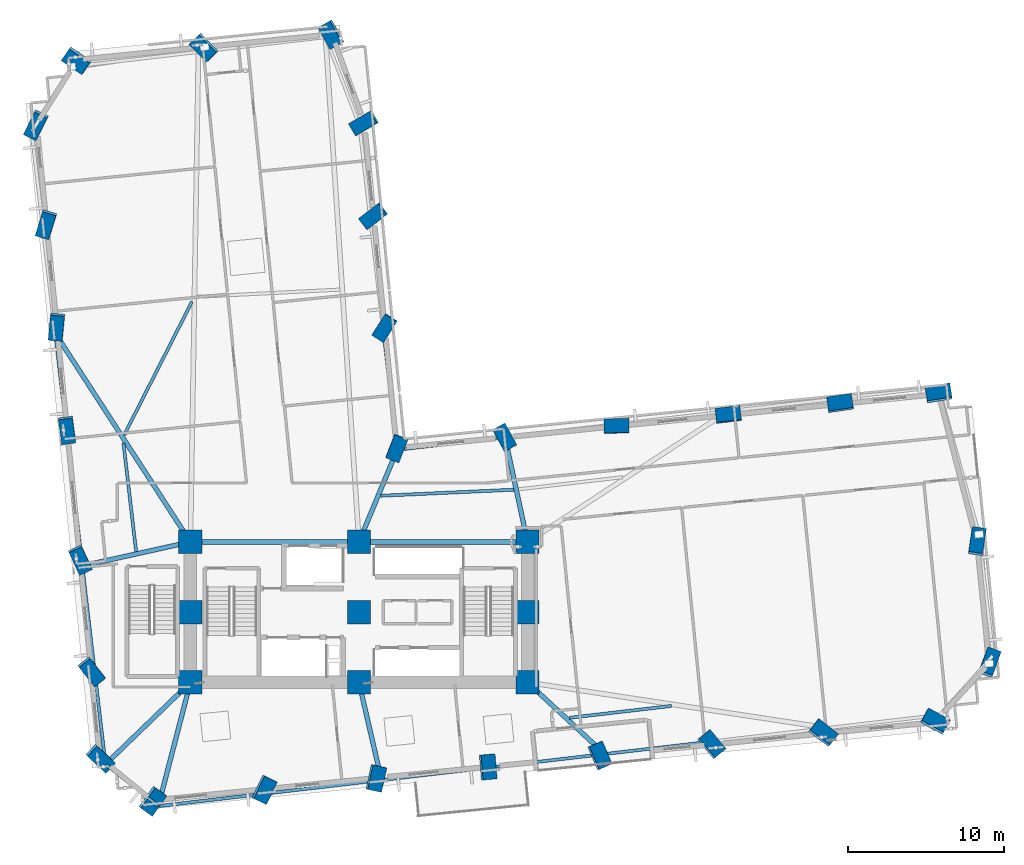
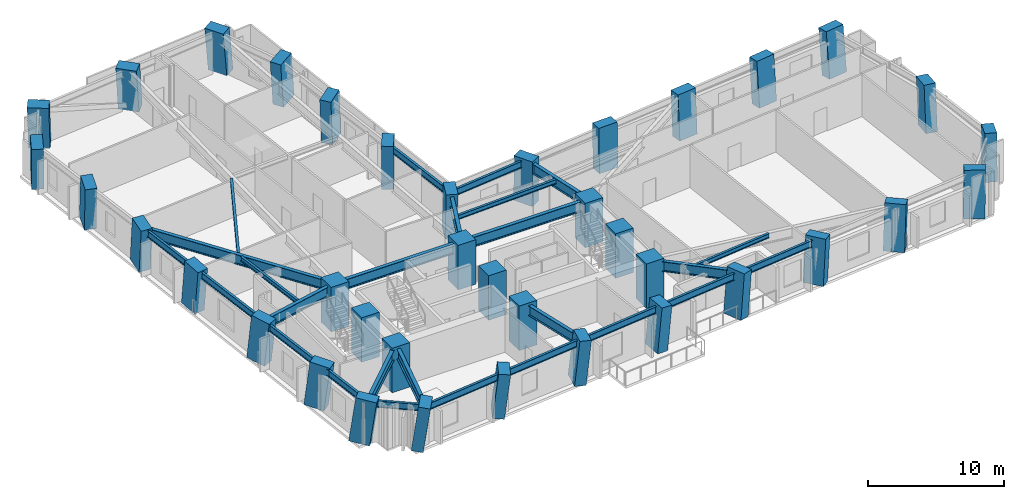
# One storey, part 1 of 16: 38 columns, 26 beams.
"""IFC4 building model written with IfcOpenShell, lengths in metres."""

from ifc_helpers import new_model, si_unit, direction, frame, origin, origin_2d, place, context, subcontext, project, spatial, rectangle, i_section, extrude, material, material_profile, profile_set, type_object, element, save


model = new_model("IFC4")

# Units and contexts
model_context = context("Model", 3, precision=1e-05, world=origin(), true_north=direction((0.0, 1.0)))
body_context = subcontext(model_context, "Body", "Model", "MODEL_VIEW")
ifc_project = project(units=[si_unit("LENGTHUNIT", "METRE"), si_unit("AREAUNIT", "SQUARE_METRE"), si_unit("VOLUMEUNIT", "CUBIC_METRE"), si_unit("PLANEANGLEUNIT", "RADIAN"), si_unit("MASSUNIT", "GRAM", prefix="KILO")], contexts=[model_context])

# Site, building, storey
site_placement = place(None, origin())
site = spatial("IfcSite", under=ifc_project, at=site_placement, CompositionType="ELEMENT")
building_placement = place(site_placement, origin())
building = spatial("IfcBuilding", under=site, at=building_placement, Name="Gaonmaruhae Medical Tower", CompositionType="ELEMENT")
storey_placement = place(building_placement, frame((0.0, 0.0, 47.0)))
storey = spatial("IfcBuildingStorey", under=building, at=storey_placement, Name="L10", CompositionType="ELEMENT", Elevation=47.0)

# Columns
ifc_material_1 = material(Name="Concrete C60/75", Category="concrete")
ifc_material_profile_1 = material_profile(ifc_material_1, rectangle(XDim=1.5, YDim=1.5, at=origin_2d()), Name="RC-1500x1500")
ifc_profile_set_1 = profile_set([ifc_material_profile_1], Name="Concrete C60/75")
column_type_1 = type_object("IfcColumnType", Name="CC-02 Zone 1 Core Column (RC-1500x1500)", PredefinedType="COLUMN", material=ifc_profile_set_1)
for number, where, z_axis, x_axis, name in (
    (1, (14.0, 7.800048828125, 0.0), (0.0, 0.0, 1.0), (1.0, 0.0, 0.0), "L10 Plumb Core Column CC11"),
    (2, (14.0, 12.300048828125, 0.0), (0.0, 0.0, 1.0), (1.0, 0.0, 0.0), "L10 Plumb Core Column CC12"),
    (3, (14.0, 16.800048828125, 0.0), (0.0, 0.0, 1.0), (1.0, 0.0, 0.0), "L10 Plumb Core Column CC13"),
    (4, (24.800048828125, 7.800048828125, 0.0), (0.0, 0.0, 1.0), (1.0, 0.0, 0.0), "L10 Plumb Core Column CC21"),
    (5, (24.800048828125, 12.300048828125, 0.0), (0.0, 0.0, 1.0), (1.0, 0.0, 0.0), "L10 Plumb Core Column CC22"),
    (6, (24.800048828125, 16.800048828125, 0.0), (0.0, 0.0, 1.0), (1.0, 0.0, 0.0), "L10 Plumb Core Column CC23"),
    (7, (35.60009765625, 7.800048828125, 0.0), (0.0, 0.0, 1.0), (1.0, 0.0, 0.0), "L10 Plumb Core Column CC31"),
    (8, (35.60009765625, 12.300048828125, 0.0), (0.0, 0.0, 1.0), (1.0, 0.0, 0.0), "L10 Plumb Core Column CC32"),
    (9, (35.60009765625, 16.800048828125, 0.0), (0.0, 0.0, 1.0), (1.0, 0.0, 0.0), "L10 Plumb Core Column CC33"),
):
    element("IfcColumn", number, at=place(storey_placement, frame(where, z_axis=z_axis, x_axis=x_axis)), inside=storey, type_object=column_type_1, Name=name, PredefinedType="COLUMN", context=body_context, shape_type="SweptSolid", body=[
        extrude(rectangle(XDim=1.5, YDim=1.5, at=origin_2d()), origin(), (0.0, 0.0, 1.0), 4.0),
    ])
ifc_material_profile_2 = material_profile(ifc_material_1, rectangle(XDim=1.60009765625, YDim=0.89990234375, at=origin_2d()), Name="RC-1600x900")
ifc_profile_set_2 = profile_set([ifc_material_profile_2], Name="Concrete C60/75")
column_type_2 = type_object("IfcColumnType", Name="TC-01 Lower Raking Tube Pier Column (RC-1600x900)", PredefinedType="COLUMN", material=ifc_profile_set_2)
column_1_placement = place(storey_placement, frame((11.53076171875, 0.236328125, 0.001708984375), z_axis=(0.101618590506, -0.089756027231, 0.990766126611), x_axis=(0.584979488636, 0.81093628941, 0.013465971642)))
element("IfcColumn", 10, at=column_1_placement, inside=storey, type_object=column_type_2, Name="L10 Perimeter Tube Column S01", PredefinedType="COLUMN", context=body_context, shape_type="SweptSolid", body=[
    extrude(rectangle(XDim=1.60009765625, YDim=0.89990234375, at=origin_2d()), origin(), (0.0, 0.0, 1.0), 4.033935546875),
])
column_2_placement = place(storey_placement, frame((18.695068359375, 0.95166015625, 0.001708984375), z_axis=(0.098720342655, -0.060554948968, 0.993271056712), x_axis=(0.436192112463, 0.899780047303, 0.011502499709)))
element("IfcColumn", 11, at=column_2_placement, inside=storey, type_object=column_type_2, Name="L10 Perimeter Tube Column S02", PredefinedType="COLUMN", context=body_context, shape_type="SweptSolid", body=[
    extrude(rectangle(XDim=1.60009765625, YDim=0.89990234375, at=origin_2d()), origin(), (0.0, 0.0, 1.0), 4.023681640625),
])
column_3_placement = place(storey_placement, frame((25.859375, 1.666748046875, 0.001708984375), z_axis=(0.095663738453, -0.031118064859, 0.994927190896), x_axis=(0.213833086503, 0.976819115495, 0.009991332253)))
element("IfcColumn", 12, at=column_3_placement, inside=storey, type_object=column_type_2, Name="L10 Perimeter Tube Column S03", PredefinedType="COLUMN", context=body_context, shape_type="SweptSolid", body=[
    extrude(rectangle(XDim=1.60009765625, YDim=0.89990234375, at=origin_2d()), origin(), (0.0, 0.0, 1.0), 4.016845703125),
])
column_4_placement = place(storey_placement, frame((33.02392578125, 2.3818359375, 0.001708984375), z_axis=(0.092515267284, -0.00158145756, 0.995710010149), x_axis=(-0.081872211225, 0.996600464636, 0.009189935574)))
element("IfcColumn", 13, at=column_4_placement, inside=storey, type_object=column_type_2, Name="L10 Perimeter Tube Column S04", PredefinedType="COLUMN", context=body_context, shape_type="SweptSolid", body=[
    extrude(rectangle(XDim=1.60009765625, YDim=0.89990234375, at=origin_2d()), origin(), (0.0, 0.0, 1.0), 4.013916015625),
])
column_5_placement = place(storey_placement, frame((40.188232421875, 3.09716796875, 0.001708984375), z_axis=(0.089343341135, 0.027915992907, 0.995609594537), x_axis=(-0.391147030164, 0.920281246899, 0.00929663378)))
element("IfcColumn", 14, at=column_5_placement, inside=storey, type_object=column_type_2, Name="L10 Perimeter Tube Column S05", PredefinedType="COLUMN", context=body_context, shape_type="SweptSolid", body=[
    extrude(rectangle(XDim=1.60009765625, YDim=0.89990234375, at=origin_2d()), origin(), (0.0, 0.0, 1.0), 4.01416015625),
])
column_6_placement = place(storey_placement, frame((47.352783203125, 3.812255859375, 0.001708984375), z_axis=(0.086035721767, 0.057417907535, 0.994636133706), x_axis=(-0.634531084789, 0.772829064842, 0.010273216236)))
element("IfcColumn", 15, at=column_6_placement, inside=storey, type_object=column_type_2, Name="L10 Perimeter Tube Column S06", PredefinedType="COLUMN", context=body_context, shape_type="SweptSolid", body=[
    extrude(rectangle(XDim=1.60009765625, YDim=0.89990234375, at=origin_2d()), origin(), (0.0, 0.0, 1.0), 4.01806640625),
])
column_7_placement = place(storey_placement, frame((54.51708984375, 4.52734375, 0.001708984375), z_axis=(0.082722113319, 0.086785442932, 0.992786653246), x_axis=(-0.788302317086, 0.615172869434, 0.011907879312)))
element("IfcColumn", 16, at=column_7_placement, inside=storey, type_object=column_type_2, Name="L10 Perimeter Tube Column S07", PredefinedType="COLUMN", context=body_context, shape_type="SweptSolid", body=[
    extrude(rectangle(XDim=1.60009765625, YDim=0.89990234375, at=origin_2d()), origin(), (0.0, 0.0, 1.0), 4.025634765625),
])
column_8_placement = place(storey_placement, frame((61.681396484375, 5.242431640625, 0.001708984375), z_axis=(0.07929154135, 0.115943466642, 0.99008583669), x_axis=(-0.876862698798, 0.480538429513, 0.013950814218)))
element("IfcColumn", 17, at=column_8_placement, inside=storey, type_object=column_type_2, Name="L10 Perimeter Tube Column S08", PredefinedType="COLUMN", context=body_context, shape_type="SweptSolid", body=[
    extrude(rectangle(XDim=1.60009765625, YDim=0.89990234375, at=origin_2d()), origin(), (0.0, 0.0, 1.0), 4.03662109375),
])
column_9_placement = place(storey_placement, frame((65.1748046875, 9.008056640625, 0.001708984375), z_axis=(0.063646955424, 0.13007430966, 0.989459316512), x_axis=(-0.343521573183, -0.928024529362, 0.144095113241)))
element("IfcColumn", 18, at=column_9_placement, inside=storey, type_object=column_type_2, Name="L10 Perimeter Tube Column E01", PredefinedType="COLUMN", context=body_context, shape_type="SweptSolid", body=[
    extrude(rectangle(XDim=1.60009765625, YDim=0.89990234375, at=origin_2d()), origin(), (0.0, 0.0, 1.0), 4.0390625),
])
column_10_placement = place(storey_placement, frame((64.39990234375, 16.76953125, 0.001708984375), z_axis=(0.031977073991, 0.126818168441, 0.991410418995), x_axis=(-0.144892280872, -0.980851456835, 0.130140872017)))
element("IfcColumn", 19, at=column_10_placement, inside=storey, type_object=column_type_2, Name="L10 Perimeter Tube Column E02", PredefinedType="COLUMN", context=body_context, shape_type="SweptSolid", body=[
    extrude(rectangle(XDim=1.60009765625, YDim=0.89990234375, at=origin_2d()), origin(), (0.0, 0.0, 1.0), 4.03125),
])
column_11_placement = place(storey_placement, frame((61.94384765625, 26.272705078125, 0.001708984375), z_axis=(-0.007037616646, 0.116606027529, 0.993153314597), x_axis=(-0.987305751047, -0.158406878966, 0.011602355177)))
element("IfcColumn", 20, at=column_11_placement, inside=storey, type_object=column_type_2, Name="L10 Perimeter Tube Column E03", PredefinedType="COLUMN", context=body_context, shape_type="SweptSolid", body=[
    extrude(rectangle(XDim=1.60009765625, YDim=0.89990234375, at=origin_2d()), origin(), (0.0, 0.0, 1.0), 4.024169921875),
])
column_12_placement = place(storey_placement, frame((55.625244140625, 25.641845703125, 0.001708984375), z_axis=(-0.004197545486, 0.090885984878, 0.995852458131), x_axis=(-0.989432855337, -0.144709945545, 0.009036395335)))
element("IfcColumn", 21, at=column_12_placement, inside=storey, type_object=column_type_2, Name="L10 Perimeter Tube Column EN01", PredefinedType="COLUMN", context=body_context, shape_type="SweptSolid", body=[
    extrude(rectangle(XDim=1.60009765625, YDim=0.89990234375, at=origin_2d()), origin(), (0.0, 0.0, 1.0), 4.01318359375),
])
column_13_placement = place(storey_placement, frame((48.4609375, 24.9267578125, 0.001708984375), z_axis=(-0.001036521292, 0.061459615457, 0.998109032767), x_axis=(-0.993242457555, -0.115897149318, 0.00610502167)))
element("IfcColumn", 22, at=column_13_placement, inside=storey, type_object=column_type_2, Name="L10 Perimeter Tube Column EN02", PredefinedType="COLUMN", context=body_context, shape_type="SweptSolid", body=[
    extrude(rectangle(XDim=1.60009765625, YDim=0.89990234375, at=origin_2d()), origin(), (0.0, 0.0, 1.0), 4.004150390625),
])
column_14_placement = place(storey_placement, frame((41.29638671875, 24.211669921875, 0.001708984375), z_axis=(0.002198022253, 0.031871322671, 0.999489563472), x_axis=(-0.99952753356, -0.030571913774, 0.00317297069)))
element("IfcColumn", 23, at=column_14_placement, inside=storey, type_object=column_type_2, Name="L10 Perimeter Tube Column EN03", PredefinedType="COLUMN", context=body_context, shape_type="SweptSolid", body=[
    extrude(rectangle(XDim=1.60009765625, YDim=0.89990234375, at=origin_2d()), origin(), (0.0, 0.0, 1.0), 3.99853515625),
])
column_15_placement = place(storey_placement, frame((34.132080078125, 23.496337890625, 0.001708984375), z_axis=(0.00537559583, 0.002260193701, 0.999982997102), x_axis=(-0.477226844935, 0.878779951426, 0.000579175574)))
element("IfcColumn", 24, at=column_15_placement, inside=storey, type_object=column_type_2, Name="L10 Perimeter Tube Column EN04", PredefinedType="COLUMN", context=body_context, shape_type="SweptSolid", body=[
    extrude(rectangle(XDim=1.60009765625, YDim=0.89990234375, at=origin_2d()), origin(), (0.0, 0.0, 1.0), 3.99658203125),
])
column_16_placement = place(storey_placement, frame((27.216552734375, 22.80615234375, 0.001708984375), z_axis=(0.008487881416, -0.026379602675, 0.999615962473), x_axis=(0.366006606198, 0.930365147227, 0.021444277663)))
element("IfcColumn", 25, at=column_16_placement, inside=storey, type_object=column_type_2, Name="L10 Perimeter Tube Column KN01", PredefinedType="COLUMN", context=body_context, shape_type="SweptSolid", body=[
    extrude(rectangle(XDim=1.60009765625, YDim=0.89990234375, at=origin_2d()), origin(), (0.0, 0.0, 1.0), 3.998046875),
])
column_17_placement = place(storey_placement, frame((26.44677734375, 30.517822265625, 0.001708984375), z_axis=(-0.023440642929, -0.02985019373, 0.99927949153), x_axis=(0.53599835428, 0.843373864942, 0.037766230177)))
element("IfcColumn", 26, at=column_17_placement, inside=storey, type_object=column_type_2, Name="L10 Perimeter Tube Column NE01", PredefinedType="COLUMN", context=body_context, shape_type="SweptSolid", body=[
    extrude(rectangle(XDim=1.60009765625, YDim=0.89990234375, at=origin_2d()), origin(), (0.0, 0.0, 1.0), 3.99951171875),
])
column_18_placement = place(storey_placement, frame((25.7314453125, 37.68212890625, 0.001708984375), z_axis=(-0.052981428619, -0.032983835308, 0.998050617369), x_axis=(0.790594790674, 0.609182512333, 0.062101075887)))
element("IfcColumn", 27, at=column_18_placement, inside=storey, type_object=column_type_2, Name="L10 Perimeter Tube Column NE02", PredefinedType="COLUMN", context=body_context, shape_type="SweptSolid", body=[
    extrude(rectangle(XDim=1.60009765625, YDim=0.89990234375, at=origin_2d()), origin(), (0.0, 0.0, 1.0), 4.00439453125),
])
column_19_placement = place(storey_placement, frame((25.135498046875, 43.652587890625, 0.001708984375), z_axis=(-0.077541471028, -0.035605777513, 0.996353124589), x_axis=(0.859535292838, 0.503974648786, 0.084903673342)))
element("IfcColumn", 28, at=column_19_placement, inside=storey, type_object=column_type_2, Name="L10 Perimeter Tube Column NE03", PredefinedType="COLUMN", context=body_context, shape_type="SweptSolid", body=[
    extrude(rectangle(XDim=1.60009765625, YDim=0.89990234375, at=origin_2d()), origin(), (0.0, 0.0, 1.0), 4.01123046875),
])
column_20_placement = place(storey_placement, frame((23.06201171875, 49.324462890625, 0.001708984375), z_axis=(-0.100668818435, -0.044201990242, 0.993937610242), x_axis=(0.490435652814, -0.871408990752, 0.010919765858)))
element("IfcColumn", 29, at=column_20_placement, inside=storey, type_object=column_type_2, Name="L10 Perimeter Tube Column N01", PredefinedType="COLUMN", context=body_context, shape_type="SweptSolid", body=[
    extrude(rectangle(XDim=1.60009765625, YDim=0.89990234375, at=origin_2d()), origin(), (0.0, 0.0, 1.0), 4.02099609375),
])
column_21_placement = place(storey_placement, frame((14.902587890625, 48.510009765625, 0.001708984375), z_axis=(-0.096922045865, -0.077707356347, 0.992253840403), x_axis=(0.699324081061, -0.714698257248, 0.01233818203)))
element("IfcColumn", 30, at=column_21_placement, inside=storey, type_object=column_type_2, Name="L10 Perimeter Tube Column N02", PredefinedType="COLUMN", context=body_context, shape_type="SweptSolid", body=[
    extrude(rectangle(XDim=1.60009765625, YDim=0.89990234375, at=origin_2d()), origin(), (0.0, 0.0, 1.0), 4.02783203125),
])
column_22_placement = place(storey_placement, frame((6.742919921875, 47.695556640625, 0.001708984375), z_axis=(-0.092963260018, -0.110915202947, 0.989472409945), x_axis=(0.825741644185, -0.563865350369, 0.014373715995)))
element("IfcColumn", 31, at=column_22_placement, inside=storey, type_object=column_type_2, Name="L10 Perimeter Tube Column N03", PredefinedType="COLUMN", context=body_context, shape_type="SweptSolid", body=[
    extrude(rectangle(XDim=1.60009765625, YDim=0.89990234375, at=origin_2d()), origin(), (0.0, 0.0, 1.0), 4.0390625),
])
column_23_placement = place(storey_placement, frame((4.140380859375, 43.566650390625, 0.001708984375), z_axis=(-0.075994605192, -0.121458362634, 0.9896831241), x_axis=(0.438151249377, 0.8875238919, 0.142565156951)))
element("IfcColumn", 32, at=column_23_placement, inside=storey, type_object=column_type_2, Name="L10 Perimeter Tube Column W01", PredefinedType="COLUMN", context=body_context, shape_type="SweptSolid", body=[
    extrude(rectangle(XDim=1.60009765625, YDim=0.89990234375, at=origin_2d()), origin(), (0.0, 0.0, 1.0), 4.038330078125),
])
column_24_placement = place(storey_placement, frame((4.77587890625, 37.1982421875, 0.001708984375), z_axis=(-0.049976419905, -0.118853013156, 0.991653325874), x_axis=(0.290924984757, 0.948104928167, 0.12829535623)))
element("IfcColumn", 33, at=column_24_placement, inside=storey, type_object=column_type_2, Name="L10 Perimeter Tube Column W02", PredefinedType="COLUMN", context=body_context, shape_type="SweptSolid", body=[
    extrude(rectangle(XDim=1.60009765625, YDim=0.89990234375, at=origin_2d()), origin(), (0.0, 0.0, 1.0), 4.0302734375),
])
column_25_placement = place(storey_placement, frame((5.431640625, 30.630859375, 0.001708984375), z_axis=(-0.023050008903, -0.116099255371, 0.992970120392), x_axis=(0.094992830329, 0.988485824862, 0.117780033251)))
element("IfcColumn", 34, at=column_25_placement, inside=storey, type_object=column_type_2, Name="L10 Perimeter Tube Column W03", PredefinedType="COLUMN", context=body_context, shape_type="SweptSolid", body=[
    extrude(rectangle(XDim=1.60009765625, YDim=0.89990234375, at=origin_2d()), origin(), (0.0, 0.0, 1.0), 4.02490234375),
])
column_26_placement = place(storey_placement, frame((6.092041015625, 24.013916015625, 0.001708984375), z_axis=(0.004187870803, -0.113254593007, 0.99355717445), x_axis=(-0.135784547747, 0.984299301738, 0.112771632916)))
element("IfcColumn", 35, at=column_26_placement, inside=storey, type_object=column_type_2, Name="L10 Perimeter Tube Column W04", PredefinedType="COLUMN", context=body_context, shape_type="SweptSolid", body=[
    extrude(rectangle(XDim=1.60009765625, YDim=0.89990234375, at=origin_2d()), origin(), (0.0, 0.0, 1.0), 4.0224609375),
])
column_27_placement = place(storey_placement, frame((6.92138671875, 15.705078125, 0.001708984375), z_axis=(0.038346412063, -0.109517838251, 0.993244882084), x_axis=(-0.420351330266, 0.899984986177, 0.115463343969)))
element("IfcColumn", 36, at=column_27_placement, inside=storey, type_object=column_type_2, Name="L10 Perimeter Tube Column W05", PredefinedType="COLUMN", context=body_context, shape_type="SweptSolid", body=[
    extrude(rectangle(XDim=1.60009765625, YDim=0.89990234375, at=origin_2d()), origin(), (0.0, 0.0, 1.0), 4.023681640625),
])
column_28_placement = place(storey_placement, frame((7.636474609375, 8.540771484375, 0.001708984375), z_axis=(0.067751375391, -0.1062327022, 0.992030424995), x_axis=(-0.614531721209, 0.778865669784, 0.125375564047)))
element("IfcColumn", 37, at=column_28_placement, inside=storey, type_object=column_type_2, Name="L10 Perimeter Tube Column W06", PredefinedType="COLUMN", context=body_context, shape_type="SweptSolid", body=[
    extrude(rectangle(XDim=1.60009765625, YDim=0.89990234375, at=origin_2d()), origin(), (0.0, 0.0, 1.0), 4.02880859375),
])
column_29_placement = place(storey_placement, frame((8.19287109375, 2.968505859375, 0.001708984375), z_axis=(0.090457849592, -0.10358785184, 0.990498326298), x_axis=(-0.723096260137, 0.677056348658, 0.13684480011)))
element("IfcColumn", 38, at=column_29_placement, inside=storey, type_object=column_type_2, Name="L10 Perimeter Tube Column W07", PredefinedType="COLUMN", context=body_context, shape_type="SweptSolid", body=[
    extrude(rectangle(XDim=1.60009765625, YDim=0.89990234375, at=origin_2d()), origin(), (0.0, 0.0, 1.0), 4.034912109375),
])

# Beams
ifc_material_2 = material(Name="Steel SM355", Category="steel")
ifc_material_profile_3 = material_profile(ifc_material_2, i_section(OverallWidth=0.199951171875, OverallDepth=0.39990234375, WebThickness=0.008056640625, FlangeThickness=0.012939453125, FilletRadius=0.012939453125, at=origin_2d()), Name="H-400x200x8x13")
ifc_profile_set_3 = profile_set([ifc_material_profile_3], Name="Steel SM355")
beam_type_1 = type_object("IfcBeamType", Name="FJ-01 Lower Zone Ward Floor Joist (H-400x200x8x13)", PredefinedType="JOIST", material=ifc_profile_set_3)
beam_1_placement = place(storey_placement, frame((38.275390625, 5.528076171875, 3.580078125), z_axis=(0.993271089038, 0.115812536801, 0.0), x_axis=(-0.115812536801, 0.993271089038, 0.0)))
element("IfcBeam", 39, at=beam_1_placement, inside=storey, type_object=beam_type_1, Name="L10 Secondary Floor Joist FJ03", PredefinedType="JOIST", context=body_context, shape_type="SweptSolid", body=[
    extrude(i_section(OverallWidth=0.199951171875, OverallDepth=0.39990234375, WebThickness=0.008056640625, FlangeThickness=0.012939453125, FilletRadius=0.012939453125, at=origin_2d()), origin(), (0.0, 0.0, 1.0), 6.59619140625),
])
beam_2_placement = place(storey_placement, frame((34.718994140625, 20.1455078125, 3.580078125), z_axis=(-0.998968127126, -0.045416747866, 0.0), x_axis=(0.045416747866, -0.998968127126, 0.0)))
element("IfcBeam", 40, at=beam_2_placement, inside=storey, type_object=beam_type_1, Name="L10 Secondary Floor Joist FJ06", PredefinedType="JOIST", context=body_context, shape_type="SweptSolid", body=[
    extrude(i_section(OverallWidth=0.199951171875, OverallDepth=0.39990234375, WebThickness=0.008056640625, FlangeThickness=0.012939453125, FilletRadius=0.012939453125, at=origin_2d()), origin(), (0.0, 0.0, 1.0), 8.531005859375),
])
beam_3_placement = place(storey_placement, frame((14.098388671875, 32.1884765625, 3.580078125), z_axis=(-0.453394793592, -0.891309800879, 0.0), x_axis=(0.891309800879, -0.453394793592, 0.0)))
element("IfcBeam", 41, at=beam_3_placement, inside=storey, type_object=beam_type_1, Name="L10 Secondary Floor Joist FJ09", PredefinedType="JOIST", context=body_context, shape_type="SweptSolid", body=[
    extrude(i_section(OverallWidth=0.199951171875, OverallDepth=0.39990234375, WebThickness=0.008056640625, FlangeThickness=0.012939453125, FilletRadius=0.012939453125, at=origin_2d()), origin(), (0.0, 0.0, 1.0), 9.589111328125),
])
beam_4_placement = place(storey_placement, frame((9.709228515625, 23.139404296875, 3.580078125), z_axis=(0.115813016434, -0.993271033115, 0.0), x_axis=(0.993271033115, 0.115813016434, 0.0)))
element("IfcBeam", 42, at=beam_4_placement, inside=storey, type_object=beam_type_1, Name="L10 Secondary Floor Joist FJ10", PredefinedType="JOIST", context=body_context, shape_type="SweptSolid", body=[
    extrude(i_section(OverallWidth=0.199951171875, OverallDepth=0.39990234375, WebThickness=0.008056640625, FlangeThickness=0.012939453125, FilletRadius=0.012939453125, at=origin_2d()), origin(), (0.0, 0.0, 1.0), 6.998779296875),
])
ifc_material_3 = material(Name="Steel SM420", Category="steel")
ifc_material_profile_4 = material_profile(ifc_material_3, i_section(OverallWidth=0.300048828125, OverallDepth=0.89990234375, WebThickness=0.01611328125, FlangeThickness=0.028076171875, FilletRadius=0.01806640625, at=origin_2d()), Name="H-900x300x16x28")
ifc_profile_set_4 = profile_set([ifc_material_profile_4], Name="Steel SM420")
beam_type_2 = type_object("IfcBeamType", Name="PG-01 Zone 1 Radial Floor Girder (H-900x300x16x28)", PredefinedType="BEAM", material=ifc_profile_set_4)
for number, where, z_axis, x_axis, name in (
    (43, (14.050048828125, 16.800048828125, 3.330078125), (1.0, 0.0, 0.0), (0.0, 1.0, 0.0), "L10 Beam BM-L10-CG-N1"),
    (44, (24.85009765625, 16.800048828125, 3.330078125), (1.0, 0.0, 0.0), (0.0, 1.0, 0.0), "L10 Beam BM-L10-CG-N2"),
):
    element("IfcBeam", number, at=place(storey_placement, frame(where, z_axis=z_axis, x_axis=x_axis)), inside=storey, type_object=beam_type_2, Name=name, PredefinedType="BEAM", context=body_context, shape_type="SweptSolid", body=[
        extrude(i_section(OverallWidth=0.300048828125, OverallDepth=0.89990234375, WebThickness=0.01611328125, FlangeThickness=0.028076171875, FilletRadius=0.01806640625, at=origin_2d()), origin(), (0.0, 0.0, 1.0), 10.699951171875),
    ])
beam_5_placement = place(storey_placement, frame((13.987548828125, 7.751708984375, 3.330078125), z_axis=(-0.251465925913, -0.967866151957, 0.0), x_axis=(0.967866151957, -0.251465925913, 0.0)))
element("IfcBeam", 45, at=beam_5_placement, inside=storey, type_object=beam_type_2, Name="L10 Radial Primary Girder S01", PredefinedType="BEAM", context=body_context, shape_type="SweptSolid", body=[
    extrude(i_section(OverallWidth=0.300048828125, OverallDepth=0.89990234375, WebThickness=0.01611328125, FlangeThickness=0.028076171875, FilletRadius=0.01806640625, at=origin_2d()), origin(), (0.0, 0.0, 1.0), 8.08935546875),
])
beam_6_placement = place(storey_placement, frame((24.811279296875, 7.751220703125, 3.330078125), z_axis=(0.22480592515, -0.974403559116, 0.0), x_axis=(0.974403559116, 0.22480592515, 0.0)))
element("IfcBeam", 46, at=beam_6_placement, inside=storey, type_object=beam_type_2, Name="L10 Radial Primary Girder S03", PredefinedType="BEAM", context=body_context, shape_type="SweptSolid", body=[
    extrude(i_section(OverallWidth=0.300048828125, OverallDepth=0.89990234375, WebThickness=0.01611328125, FlangeThickness=0.028076171875, FilletRadius=0.01806640625, at=origin_2d()), origin(), (0.0, 0.0, 1.0), 6.32275390625),
])
beam_7_placement = place(storey_placement, frame((35.63671875, 7.765869140625, 3.31005859375), z_axis=(0.733014469082, -0.680213046123, 0.0), x_axis=(0.680213046123, 0.733014469082, 0.0)))
element("IfcBeam", 47, at=beam_7_placement, inside=storey, type_object=beam_type_2, Name="L10 Radial Primary Girder S05", PredefinedType="BEAM", context=body_context, shape_type="SweptSolid", body=[
    extrude(i_section(OverallWidth=0.300048828125, OverallDepth=0.89990234375, WebThickness=0.01611328125, FlangeThickness=0.028076171875, FilletRadius=0.01806640625, at=origin_2d()), origin(), (0.0, 0.0, 1.0), 6.64892578125),
])
beam_8_placement = place(storey_placement, frame((35.58935546875, 16.848876953125, 3.330078125), z_axis=(-0.210818924361, 0.97752513069, 0.0), x_axis=(-0.97752513069, -0.210818924361, 0.0)))
element("IfcBeam", 48, at=beam_8_placement, inside=storey, type_object=beam_type_2, Name="L10 Radial Primary Girder EN04", PredefinedType="BEAM", context=body_context, shape_type="SweptSolid", body=[
    extrude(i_section(OverallWidth=0.300048828125, OverallDepth=0.89990234375, WebThickness=0.01611328125, FlangeThickness=0.028076171875, FilletRadius=0.01806640625, at=origin_2d()), origin(), (0.0, 0.0, 1.0), 6.759521484375),
])
beam_9_placement = place(storey_placement, frame((24.819091796875, 16.84619140625, 3.330078125), z_axis=(0.383540112576, 0.92352421844, 0.0), x_axis=(-0.92352421844, 0.383540112576, 0.0)))
element("IfcBeam", 49, at=beam_9_placement, inside=storey, type_object=beam_type_2, Name="L10 Radial Primary Girder KN01", PredefinedType="BEAM", context=body_context, shape_type="SweptSolid", body=[
    extrude(i_section(OverallWidth=0.300048828125, OverallDepth=0.89990234375, WebThickness=0.01611328125, FlangeThickness=0.028076171875, FilletRadius=0.01806640625, at=origin_2d()), origin(), (0.0, 0.0, 1.0), 6.2890625),
])
beam_10_placement = place(storey_placement, frame((13.972900390625, 16.842041015625, 3.330078125), z_axis=(-0.543894649511, 0.839153508146, 0.0), x_axis=(-0.839153508146, -0.543894649511, 0.0)))
element("IfcBeam", 50, at=beam_10_placement, inside=storey, type_object=beam_type_2, Name="L10 Radial Primary Girder W03", PredefinedType="BEAM", context=body_context, shape_type="SweptSolid", body=[
    extrude(i_section(OverallWidth=0.300048828125, OverallDepth=0.89990234375, WebThickness=0.01611328125, FlangeThickness=0.028076171875, FilletRadius=0.01806640625, at=origin_2d()), origin(), (0.0, 0.0, 1.0), 15.82470703125),
])
beam_11_placement = place(storey_placement, frame((13.951171875, 16.7890625, 3.330078125), z_axis=(-0.976279805662, -0.216512681053, 0.0), x_axis=(0.216512681053, -0.976279805662, 0.0)))
element("IfcBeam", 51, at=beam_11_placement, inside=storey, type_object=beam_type_2, Name="L10 Radial Primary Girder W05", PredefinedType="BEAM", context=body_context, shape_type="SweptSolid", body=[
    extrude(i_section(OverallWidth=0.300048828125, OverallDepth=0.89990234375, WebThickness=0.01611328125, FlangeThickness=0.028076171875, FilletRadius=0.01806640625, at=origin_2d()), origin(), (0.0, 0.0, 1.0), 6.9921875),
])
beam_12_placement = place(storey_placement, frame((13.964111328125, 7.765380859375, 3.330078125), z_axis=(-0.719704145831, -0.694280881541, 0.0), x_axis=(0.694280881541, -0.719704145831, 0.0)))
element("IfcBeam", 52, at=beam_12_placement, inside=storey, type_object=beam_type_2, Name="L10 Radial Primary Girder W07", PredefinedType="BEAM", context=body_context, shape_type="SweptSolid", body=[
    extrude(i_section(OverallWidth=0.300048828125, OverallDepth=0.89990234375, WebThickness=0.01611328125, FlangeThickness=0.028076171875, FilletRadius=0.01806640625, at=origin_2d()), origin(), (0.0, 0.0, 1.0), 7.461669921875),
])
ifc_material_profile_5 = material_profile(ifc_material_2, i_section(OverallWidth=0.199951171875, OverallDepth=0.60009765625, WebThickness=0.010986328125, FlangeThickness=0.01708984375, FilletRadius=0.012939453125, at=origin_2d()), Name="H-600x200x11x17")
ifc_profile_set_5 = profile_set([ifc_material_profile_5], Name="Steel SM355")
beam_type_3 = type_object("IfcBeamType", Name="SP-01 Lower Perimeter Spandrel Beam (H-600x200x11x17)", PredefinedType="SPANDREL", material=ifc_profile_set_5)
beam_13_placement = place(storey_placement, frame((11.98046875, -0.121337890625, 3.47998046875), z_axis=(0.993273396415, 0.115792745778, 0.0), x_axis=(-0.115792745778, 0.993273396415, 0.0)))
element("IfcBeam", 53, at=beam_13_placement, inside=storey, type_object=beam_type_3, Name="L10 Perimeter Spandrel Beam S01-S02", PredefinedType="SPANDREL", context=body_context, shape_type="SweptSolid", body=[
    extrude(i_section(OverallWidth=0.199951171875, OverallDepth=0.60009765625, WebThickness=0.010986328125, FlangeThickness=0.01708984375, FilletRadius=0.012939453125, at=origin_2d()), origin(), (0.0, 0.0, 1.0), 7.1201171875),
])
for number, where, z_axis, x_axis, name in (
    (54, (19.132080078125, 0.71240234375, 3.47998046875), (0.993268992154, 0.115830519401, 0.0), (-0.115830519401, 0.993268992154, 0.0), "L10 Perimeter Spandrel Beam S02-S03"),
    (55, (26.28369140625, 1.54638671875, 3.47998046875), (0.99327293665, 0.11579668958, 0.0), (-0.11579668958, 0.99327293665, 0.0), "L10 Perimeter Spandrel Beam S03-S04"),
    (56, (33.435302734375, 2.380126953125, 3.4599609375), (0.99327293665, 0.11579668958, 0.0), (-0.11579668958, 0.99327293665, 0.0), "L10 Perimeter Spandrel Beam S04-S05"),
):
    element("IfcBeam", number, at=place(storey_placement, frame(where, z_axis=z_axis, x_axis=x_axis)), inside=storey, type_object=beam_type_3, Name=name, PredefinedType="SPANDREL", context=body_context, shape_type="SweptSolid", body=[
        extrude(i_section(OverallWidth=0.199951171875, OverallDepth=0.60009765625, WebThickness=0.010986328125, FlangeThickness=0.01708984375, FilletRadius=0.012939453125, at=origin_2d()), origin(), (0.0, 0.0, 1.0), 7.119873046875),
    ])
beam_14_placement = place(storey_placement, frame((40.586669921875, 3.2138671875, 3.4599609375), z_axis=(0.993273396415, 0.115792745778, 0.0), x_axis=(-0.115792745778, 0.993273396415, 0.0)))
element("IfcBeam", 57, at=beam_14_placement, inside=storey, type_object=beam_type_3, Name="L10 Perimeter Spandrel Beam S05-S06", PredefinedType="SPANDREL", context=body_context, shape_type="SweptSolid", body=[
    extrude(i_section(OverallWidth=0.199951171875, OverallDepth=0.60009765625, WebThickness=0.010986328125, FlangeThickness=0.01708984375, FilletRadius=0.012939453125, at=origin_2d()), origin(), (0.0, 0.0, 1.0), 7.1201171875),
])
beam_15_placement = place(storey_placement, frame((34.114013671875, 23.500732421875, 3.47998046875), z_axis=(-0.993271112649, -0.115812334304, 0.0), x_axis=(0.115812334304, -0.993271112649, 0.0)))
element("IfcBeam", 58, at=beam_15_placement, inside=storey, type_object=beam_type_3, Name="L10 Perimeter Spandrel Beam EN04-KN01", PredefinedType="SPANDREL", context=body_context, shape_type="SweptSolid", body=[
    extrude(i_section(OverallWidth=0.199951171875, OverallDepth=0.60009765625, WebThickness=0.010986328125, FlangeThickness=0.01708984375, FilletRadius=0.012939453125, at=origin_2d()), origin(), (0.0, 0.0, 1.0), 6.8701171875),
])
beam_16_placement = place(storey_placement, frame((27.245849609375, 22.740234375, 3.47998046875), z_axis=(-0.115799574427, 0.993272600328, 0.0), x_axis=(-0.993272600328, -0.115799574427, 0.0)))
element("IfcBeam", 59, at=beam_16_placement, inside=storey, type_object=beam_type_3, Name="L10 Perimeter Spandrel Beam KN01-NE01", PredefinedType="SPANDREL", context=body_context, shape_type="SweptSolid", body=[
    extrude(i_section(OverallWidth=0.199951171875, OverallDepth=0.60009765625, WebThickness=0.010986328125, FlangeThickness=0.01708984375, FilletRadius=0.012939453125, at=origin_2d()), origin(), (0.0, 0.0, 1.0), 7.669921875),
])
beam_17_placement = place(storey_placement, frame((5.343505859375, 30.12353515625, 3.47998046875), z_axis=(0.115793321637, -0.993273329283, 0.0), x_axis=(0.993273329283, 0.115793321637, 0.0)))
element("IfcBeam", 60, at=beam_17_placement, inside=storey, type_object=beam_type_3, Name="L10 Perimeter Spandrel Beam W03-W04", PredefinedType="SPANDREL", context=body_context, shape_type="SweptSolid", body=[
    extrude(i_section(OverallWidth=0.199951171875, OverallDepth=0.60009765625, WebThickness=0.010986328125, FlangeThickness=0.01708984375, FilletRadius=0.012939453125, at=origin_2d()), origin(), (0.0, 0.0, 1.0), 6.56982421875),
])
beam_18_placement = place(storey_placement, frame((6.113525390625, 23.518310546875, 3.47998046875), z_axis=(0.115811770575, -0.993271178378, 0.0), x_axis=(0.993271178378, 0.115811770575, 0.0)))
element("IfcBeam", 61, at=beam_18_placement, inside=storey, type_object=beam_type_3, Name="L10 Perimeter Spandrel Beam W04-W05", PredefinedType="SPANDREL", context=body_context, shape_type="SweptSolid", body=[
    extrude(i_section(OverallWidth=0.199951171875, OverallDepth=0.60009765625, WebThickness=0.010986328125, FlangeThickness=0.01708984375, FilletRadius=0.012939453125, at=origin_2d()), origin(), (0.0, 0.0, 1.0), 8.27001953125),
])
beam_19_placement = place(storey_placement, frame((7.08056640625, 15.224609375, 3.47998046875), z_axis=(0.115792745778, -0.993273396415, 0.0), x_axis=(0.993273396415, 0.115792745778, 0.0)))
element("IfcBeam", 62, at=beam_19_placement, inside=storey, type_object=beam_type_3, Name="L10 Perimeter Spandrel Beam W05-W06", PredefinedType="SPANDREL", context=body_context, shape_type="SweptSolid", body=[
    extrude(i_section(OverallWidth=0.199951171875, OverallDepth=0.60009765625, WebThickness=0.010986328125, FlangeThickness=0.01708984375, FilletRadius=0.012939453125, at=origin_2d()), origin(), (0.0, 0.0, 1.0), 7.1201171875),
])
beam_20_placement = place(storey_placement, frame((7.914306640625, 8.072998046875, 3.47998046875), z_axis=(0.115789067346, -0.993273825228, 0.0), x_axis=(0.993273825228, 0.115789067346, 0.0)))
element("IfcBeam", 63, at=beam_20_placement, inside=storey, type_object=beam_type_3, Name="L10 Perimeter Spandrel Beam W06-W07", PredefinedType="SPANDREL", context=body_context, shape_type="SweptSolid", body=[
    extrude(i_section(OverallWidth=0.199951171875, OverallDepth=0.60009765625, WebThickness=0.010986328125, FlangeThickness=0.01708984375, FilletRadius=0.012939453125, at=origin_2d()), origin(), (0.0, 0.0, 1.0), 5.52001953125),
])
beam_21_placement = place(storey_placement, frame((8.589599609375, 2.525634765625, 3.47998046875), z_axis=(0.784216531869, -0.620487253006, 0.0), x_axis=(0.620487253006, 0.784216531869, 0.0)))
element("IfcBeam", 64, at=beam_21_placement, inside=storey, type_object=beam_type_3, Name="L10 Perimeter Spandrel Beam W07-S01", PredefinedType="SPANDREL", context=body_context, shape_type="SweptSolid", body=[
    extrude(i_section(OverallWidth=0.199951171875, OverallDepth=0.60009765625, WebThickness=0.010986328125, FlangeThickness=0.01708984375, FilletRadius=0.012939453125, at=origin_2d()), origin(), (0.0, 0.0, 1.0), 4.2333984375),
])

save(model, "model.ifc")
